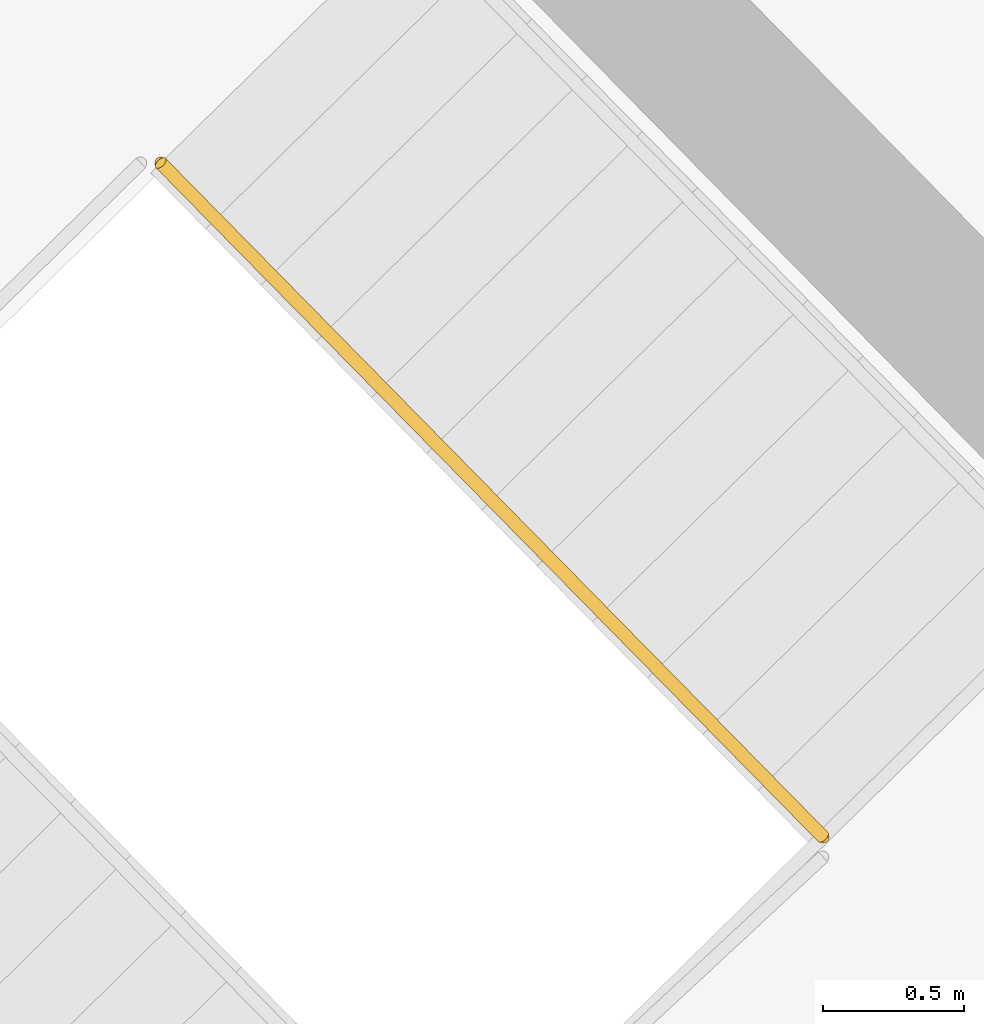
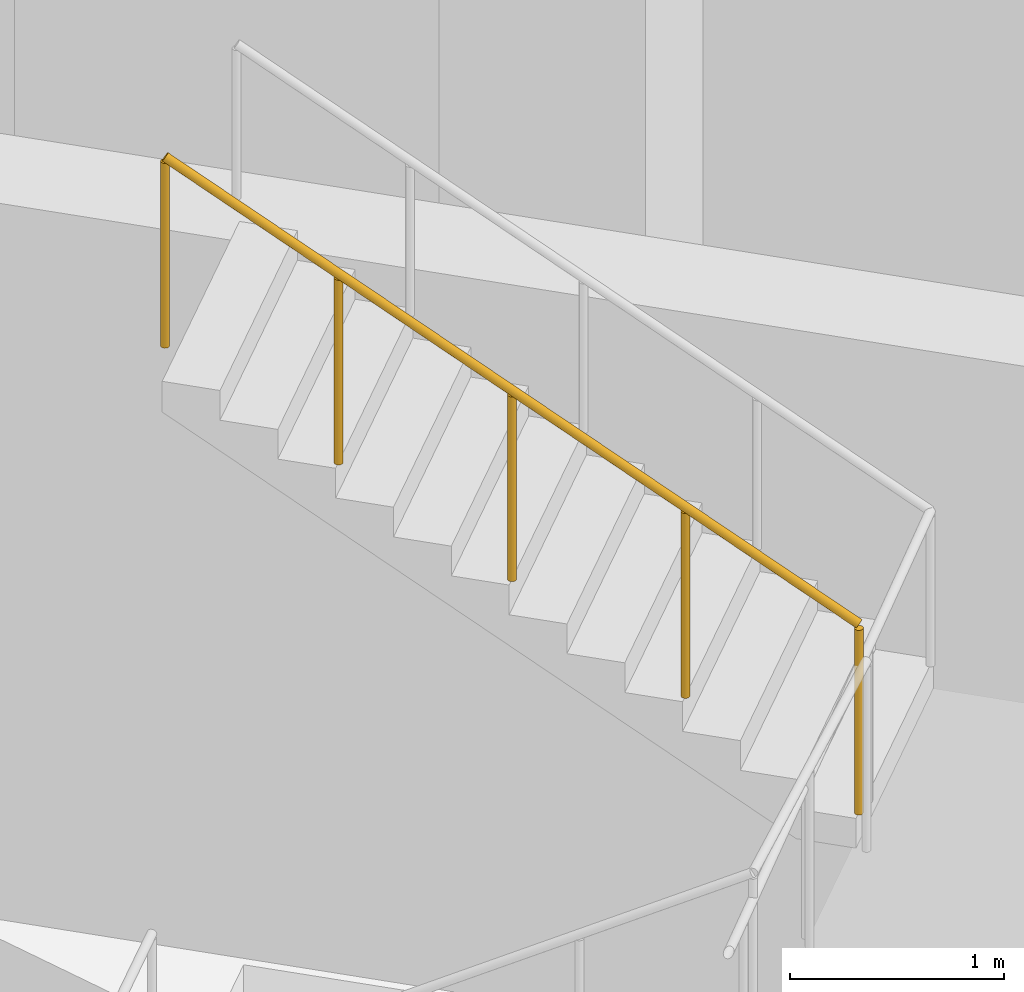
# One storey, part 10 of 10: 1 railing.
"""IFC4 building model written with IfcOpenShell, lengths in metres."""

from ifc_helpers import new_model, si_unit, direction, frame, origin, origin_2d, place, context, subcontext, project, spatial, circle, extrude, material, type_object, element, save


model = new_model("IFC4")

# Units and contexts
model_context = context("Model", 3, precision=1e-05, world=origin(), true_north=direction((0.0, 1.0)))
body_context = subcontext(model_context, "Body", "Model", "MODEL_VIEW")
ifc_project = project(units=[si_unit("LENGTHUNIT", "METRE"), si_unit("AREAUNIT", "SQUARE_METRE"), si_unit("VOLUMEUNIT", "CUBIC_METRE"), si_unit("PLANEANGLEUNIT", "RADIAN"), si_unit("MASSUNIT", "GRAM", prefix="KILO")], contexts=[model_context])

# Site, building, storey
site_placement = place(None, origin())
site = spatial("IfcSite", under=ifc_project, at=site_placement, CompositionType="ELEMENT")
building_placement = place(site_placement, origin())
building = spatial("IfcBuilding", under=site, at=building_placement, Name="Binnacle Exchange Tower", CompositionType="ELEMENT")
storey_placement = place(building_placement, frame((0.0, 0.0, 110.300048828125)))
storey = spatial("IfcBuildingStorey", under=building, at=storey_placement, Name="L22", CompositionType="ELEMENT", Elevation=110.300048828125)

# Railing
ifc_material = material(Name="Steel guard rail", Category="steel")
railing_type = type_object("IfcRailingType", Name="STAIR GUARD 1100", PredefinedType="GUARDRAIL", material=ifc_material)
railing_placement = place(storey_placement, frame((44.4970703125, 45.947021484375, 2.369140625)))
element("IfcRailing", 1, at=railing_placement, inside=storey, type_object=railing_type, Name="L22 STB1 stair guard 2", PredefinedType="GUARDRAIL", context=body_context, shape_type="SweptSolid", body=[
    extrude(circle(Radius=0.02392578125, at=origin_2d()), frame((0.0, 0.0, 1.076171875), z_axis=(-0.599850224077, 0.610421915772, 0.51726665601), x_axis=(-0.713256128111, -0.700903485305, 0.0)), (0.0, 0.0, 1.0), 3.926025390625),
    extrude(circle(Radius=0.02099609375, at=origin_2d()), origin(), (0.0, 0.0, 1.0), 1.052001953125),
    extrude(circle(Radius=0.02099609375, at=origin_2d()), frame((-0.5888671875, 0.59912109375, 0.5078125)), (0.0, 0.0, 1.0), 1.052001953125),
    extrude(circle(Radius=0.02099609375, at=origin_2d()), frame((-1.177490234375, 1.1982421875, 1.015380859375)), (0.0, 0.0, 1.0), 1.052001953125),
    extrude(circle(Radius=0.02099609375, at=origin_2d()), frame((-1.76611328125, 1.79736328125, 1.52294921875)), (0.0, 0.0, 1.0), 1.052001953125),
    extrude(circle(Radius=0.02099609375, at=origin_2d()), frame((-2.35498046875, 2.396484375, 2.03076171875)), (0.0, 0.0, 1.0), 1.052001953125),
])

save(model, "model.ifc")
